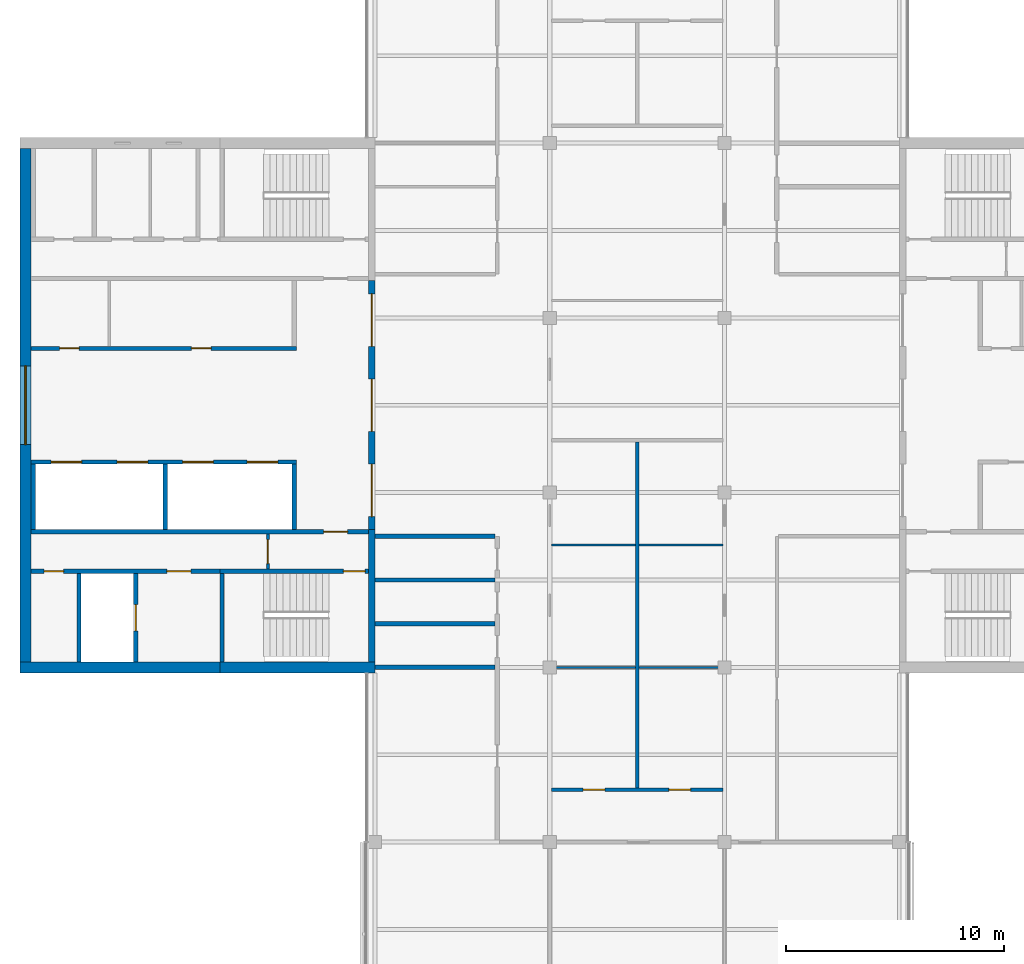
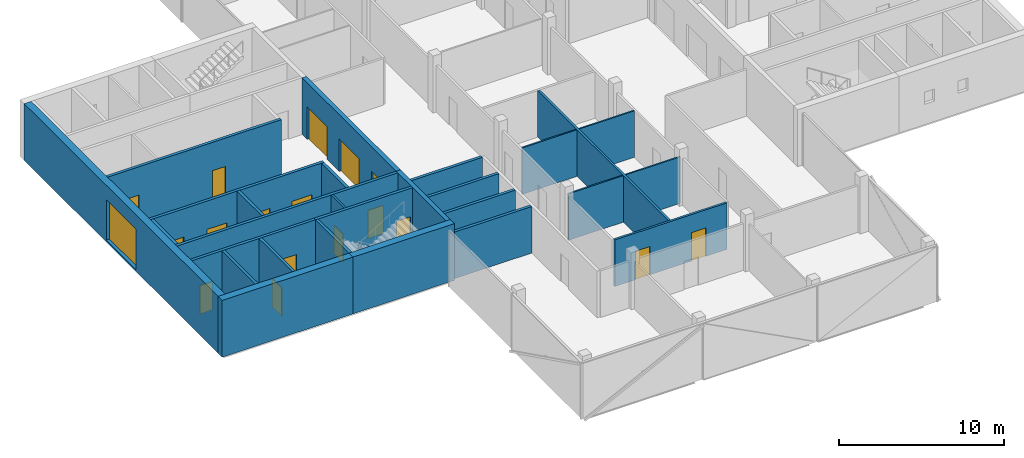
# One storey, part 9 of 16: 27 walls, 17 doors, 1 window, 18 openings.
"""IFC4 building model written with IfcOpenShell, lengths in metres."""

from ifc_helpers import new_model, si_unit, direction, frame, frame_2d, origin, place, context, subcontext, project, spatial, rectangle, extrude, material, layer, layer_set, constituent, constituent_set, type_object, element, fill, save


model = new_model("IFC4")

# Units and contexts
model_context = context("Model", 3, precision=1e-05, world=origin(), true_north=direction((0.0, 1.0)))
body_context = subcontext(model_context, "Body", "Model", "MODEL_VIEW")
ifc_project = project(units=[si_unit("LENGTHUNIT", "METRE"), si_unit("AREAUNIT", "SQUARE_METRE"), si_unit("VOLUMEUNIT", "CUBIC_METRE"), si_unit("PLANEANGLEUNIT", "RADIAN"), si_unit("MASSUNIT", "GRAM", prefix="KILO")], contexts=[model_context])

# Site, building, storey
site_placement = place(None, origin())
site = spatial("IfcSite", under=ifc_project, at=site_placement, CompositionType="ELEMENT")
building_placement = place(site_placement, origin())
building = spatial("IfcBuilding", under=site, at=building_placement, Name="Crosswind Convention Tower", CompositionType="ELEMENT")
storey_placement = place(building_placement, frame((0.0, 0.0, 340.699951171875)))
storey = spatial("IfcBuildingStorey", under=building, at=storey_placement, Name="L74", CompositionType="ELEMENT", Elevation=340.699951171875)

# Walls
ifc_material_1 = material(Name="Concrete blockwork", Category="masonry")
ifc_layer_1 = layer(ifc_material_1, 0.199951171875)
ifc_layer_set_1 = layer_set([ifc_layer_1], Name="COMPARTMENT WALL 200 BLOCKWORK")
wall_type_1 = type_object("IfcWallType", Name="COMPARTMENT WALL 200 BLOCKWORK", PredefinedType="SOLIDWALL", material=ifc_layer_set_1)
for number, where, z_axis, x_axis, name in (
    (1, (113.0, 88.0, 0.0), (0.0, 0.0, 1.0), (1.0, 0.0, 0.0), "Compartment wall WT42"),
    (2, (113.0, 90.0, 0.0), (0.0, 0.0, 1.0), (1.0, 0.0, 0.0), "Compartment wall WT42"),
    (3, (113.0, 92.0, 0.0), (0.0, 0.0, 1.0), (1.0, 0.0, 0.0), "Compartment wall WT42"),
    (4, (113.0, 94.0, 0.0), (0.0, 0.0, 1.0), (1.0, 0.0, 0.0), "Compartment wall WT42"),
):
    element("IfcWall", number, at=place(storey_placement, frame(where, z_axis=z_axis, x_axis=x_axis)), inside=storey, type_object=wall_type_1, Name=name, PredefinedType="SOLIDWALL", context=body_context, shape_type="SweptSolid", body=[
        extrude(rectangle(XDim=5.5, YDim=0.199951171875, at=frame_2d((2.75, 0.0))), origin(), (0.0, 0.0, 1.0), 3.44287109375),
    ])

# Wall, openings, doors
ifc_material_2 = material(Name="Concrete C50/60", Category="concrete")
ifc_layer_2 = layer(ifc_material_2, 0.300048828125)
ifc_layer_set_2 = layer_set([ifc_layer_2], Name="Concrete C50/60")
wall_type_2 = type_object("IfcWallType", Name="Concrete inner core wall 300", PredefinedType="SHEAR", material=ifc_layer_set_2)
wall_1_placement = place(storey_placement, frame((112.85009765625, 105.699951171875, 0.0), z_axis=(0.0, 0.0, 1.0), x_axis=(0.0, -1.0, 0.0)))
wall_1 = element("IfcWall", 5, at=wall_1_placement, inside=storey, type_object=wall_type_2, Name="Wall SCR W L74", PredefinedType="SHEAR", context=body_context, shape_type="SweptSolid", body=[
    extrude(rectangle(XDim=11.39990234375, YDim=0.300048828125, at=frame_2d((5.699951171875, 0.0))), origin(), (0.0, 0.0, 1.0), 4.199951171875),
])
opening_1_placement = place(wall_1_placement, frame((0.60009765625, 0.0, 0.0)))
opening_1 = element("IfcOpeningElement", 6, at=opening_1_placement, cuts=wall_1, Name="Opening D100", PredefinedType="OPENING", context=body_context, shape_type="SweptSolid", body=[
    extrude(rectangle(XDim=2.39990234375, YDim=2.39990234375, at=frame_2d((1.199951171875, 1.199951171875))), frame((0.0, 0.159912109375, 0.0), z_axis=(0.0, -1.0, 0.0), x_axis=(1.0, 0.0, 0.0)), (0.0, 0.0, 1.0), 0.320068359375),
])
opening_2_placement = place(wall_1_placement, frame((4.5, 0.0, 0.0)))
opening_2 = element("IfcOpeningElement", 7, at=opening_2_placement, cuts=wall_1, Name="Opening D100", PredefinedType="OPENING", context=body_context, shape_type="SweptSolid", body=[
    extrude(rectangle(XDim=2.39990234375, YDim=2.39990234375, at=frame_2d((1.199951171875, 1.199951171875))), frame((0.0, 0.159912109375, 0.0), z_axis=(0.0, -1.0, 0.0), x_axis=(1.0, 0.0, 0.0)), (0.0, 0.0, 1.0), 0.320068359375),
])
opening_3_placement = place(wall_1_placement, frame((8.39990234375, 0.0, 0.0)))
opening_3 = element("IfcOpeningElement", 8, at=opening_3_placement, cuts=wall_1, Name="Opening D100", PredefinedType="OPENING", context=body_context, shape_type="SweptSolid", body=[
    extrude(rectangle(XDim=2.39990234375, YDim=2.39990234375, at=frame_2d((1.199951171875, 1.199951171875))), frame((0.0, 0.159912109375, 0.0), z_axis=(0.0, -1.0, 0.0), x_axis=(1.0, 0.0, 0.0)), (0.0, 0.0, 1.0), 0.320068359375),
])
ifc_material_3 = material(Name="Steel fire door with glazed vision panels", Category="steel")
door_type_1 = type_object("IfcDoorType", Name="Fire-rated double door 2400x2400", OperationType="DOUBLE_DOOR_SINGLE_SWING", PredefinedType="DOOR", material=ifc_material_3)
door_1_placement = place(opening_1_placement, origin())
door_1 = element("IfcDoor", 9, at=door_1_placement, inside=storey, type_object=door_type_1, Name="Lobby door 1 L74", ObjectType="D100", OperationType="DOUBLE_DOOR_SINGLE_SWING", OverallHeight=2.39990234375, OverallWidth=2.39990234375, PredefinedType="DOOR", context=body_context, shape_type="SweptSolid", body=[
    extrude(rectangle(XDim=2.39990234375, YDim=2.39990234375, at=frame_2d((1.199951171875, 1.199951171875))), frame((0.0, 0.02490234375, 0.0), z_axis=(0.0, -1.0, 0.0), x_axis=(1.0, 0.0, 0.0)), (0.0, 0.0, 1.0), 0.050048828125),
])
fill(opening_1, door_1)
door_2_placement = place(opening_2_placement, origin())
door_2 = element("IfcDoor", 10, at=door_2_placement, inside=storey, type_object=door_type_1, Name="Lobby door 2 L74", ObjectType="D100", OperationType="DOUBLE_DOOR_SINGLE_SWING", OverallHeight=2.39990234375, OverallWidth=2.39990234375, PredefinedType="DOOR", context=body_context, shape_type="SweptSolid", body=[
    extrude(rectangle(XDim=2.39990234375, YDim=2.39990234375, at=frame_2d((1.199951171875, 1.199951171875))), frame((0.0, 0.02490234375, 0.0), z_axis=(0.0, -1.0, 0.0), x_axis=(1.0, 0.0, 0.0)), (0.0, 0.0, 1.0), 0.050048828125),
])
fill(opening_2, door_2)
door_3_placement = place(opening_3_placement, origin())
door_3 = element("IfcDoor", 11, at=door_3_placement, inside=storey, type_object=door_type_1, Name="Lobby door 3 L74", ObjectType="D100", OperationType="DOUBLE_DOOR_SINGLE_SWING", OverallHeight=2.39990234375, OverallWidth=2.39990234375, PredefinedType="DOOR", context=body_context, shape_type="SweptSolid", body=[
    extrude(rectangle(XDim=2.39990234375, YDim=2.39990234375, at=frame_2d((1.199951171875, 1.199951171875))), frame((0.0, 0.02490234375, 0.0), z_axis=(0.0, -1.0, 0.0), x_axis=(1.0, 0.0, 0.0)), (0.0, 0.0, 1.0), 0.050048828125),
])
fill(opening_3, door_3)

# Walls
wall_2_placement = place(storey_placement, frame((112.85009765625, 94.300048828125, 0.0), z_axis=(0.0, 0.0, 1.0), x_axis=(0.0, -1.0, 0.0)))
element("IfcWall", 12, at=wall_2_placement, inside=storey, type_object=wall_type_2, Name="Wall EP W L74", PredefinedType="SHEAR", context=body_context, shape_type="SweptSolid", body=[
    extrude(rectangle(XDim=6.050048828125, YDim=0.300048828125, at=frame_2d((3.02490234375, 0.0))), origin(), (0.0, 0.0, 1.0), 4.199951171875),
])
ifc_layer_3 = layer(ifc_material_2, 0.199951171875)
ifc_layer_set_3 = layer_set([ifc_layer_3], Name="Concrete C50/60")
wall_type_3 = type_object("IfcWallType", Name="Concrete shaft and stair wall 200", PredefinedType="SHEAR", material=ifc_layer_set_3)
for number, where, z_axis, x_axis, name in (
    (13, (109.300048828125, 97.300048828125, 0.0), (0.0, 0.0, 1.0), (0.0, -1.0, 0.0), "Wall RPEND W L74"),
    (14, (103.39990234375, 97.300048828125, 0.0), (0.0, 0.0, 1.0), (0.0, -1.0, 0.0), "Wall RPSEP W L74"),
    (15, (97.35009765625, 97.300048828125, 0.0), (0.0, 0.0, 1.0), (0.0, -1.0, 0.0), "Wall RPEAST W L74"),
):
    element("IfcWall", number, at=place(storey_placement, frame(where, z_axis=z_axis, x_axis=x_axis)), inside=storey, type_object=wall_type_3, Name=name, PredefinedType="SHEAR", context=body_context, shape_type="SweptSolid", body=[
        extrude(rectangle(XDim=3.0, YDim=0.199951171875, at=frame_2d((1.5, 0.0))), origin(), (0.0, 0.0, 1.0), 4.199951171875),
    ])

# Wall, openings, doors
wall_3_placement = place(storey_placement, frame((109.39990234375, 97.39990234375, 0.0), z_axis=(0.0, 0.0, 1.0), x_axis=(-1.0, 0.0, 0.0)))
wall_3 = element("IfcWall", 16, at=wall_3_placement, inside=storey, type_object=wall_type_3, Name="Wall RPFRONT W L74", PredefinedType="SHEAR", context=body_context, shape_type="SweptSolid", body=[
    extrude(rectangle(XDim=12.14990234375, YDim=0.199951171875, at=frame_2d((6.074951171875, 0.0))), origin(), (0.0, 0.0, 1.0), 4.199951171875),
])
opening_4_placement = place(wall_3_placement, frame((0.85009765625, 0.0, 0.0)))
opening_4 = element("IfcOpeningElement", 17, at=opening_4_placement, cuts=wall_3, Name="Opening LD2", PredefinedType="OPENING", context=body_context, shape_type="SweptSolid", body=[
    extrude(rectangle(XDim=1.39990234375, YDim=2.10009765625, at=frame_2d((0.699951171875, 1.050048828125))), frame((0.0, 0.10986328125, 0.0), z_axis=(0.0, -1.0, 0.0), x_axis=(1.0, 0.0, 0.0)), (0.0, 0.0, 1.0), 0.219970703125),
])
opening_5_placement = place(wall_3_placement, frame((3.800048828125, 0.0, 0.0)))
opening_5 = element("IfcOpeningElement", 18, at=opening_5_placement, cuts=wall_3, Name="Opening LD2", PredefinedType="OPENING", context=body_context, shape_type="SweptSolid", body=[
    extrude(rectangle(XDim=1.39990234375, YDim=2.10009765625, at=frame_2d((0.699951171875, 1.050048828125))), frame((0.0, 0.10986328125, 0.0), z_axis=(0.0, -1.0, 0.0), x_axis=(1.0, 0.0, 0.0)), (0.0, 0.0, 1.0), 0.219970703125),
])
opening_6_placement = place(wall_3_placement, frame((6.800048828125, 0.0, 0.0)))
opening_6 = element("IfcOpeningElement", 19, at=opening_6_placement, cuts=wall_3, Name="Opening LD2", PredefinedType="OPENING", context=body_context, shape_type="SweptSolid", body=[
    extrude(rectangle(XDim=1.39990234375, YDim=2.10009765625, at=frame_2d((0.699951171875, 1.050048828125))), frame((0.0, 0.10986328125, 0.0), z_axis=(0.0, -1.0, 0.0), x_axis=(1.0, 0.0, 0.0)), (0.0, 0.0, 1.0), 0.219970703125),
])
opening_7_placement = place(wall_3_placement, frame((9.824951171875, 0.0, 0.0)))
opening_7 = element("IfcOpeningElement", 20, at=opening_7_placement, cuts=wall_3, Name="Opening LD2", PredefinedType="OPENING", context=body_context, shape_type="SweptSolid", body=[
    extrude(rectangle(XDim=1.39990234375, YDim=2.10009765625, at=frame_2d((0.699951171875, 1.050048828125))), frame((0.0, 0.10986328125, 0.0), z_axis=(0.0, -1.0, 0.0), x_axis=(1.0, 0.0, 0.0)), (0.0, 0.0, 1.0), 0.219970703125),
])
ifc_material_4 = material(Name="Stainless steel", Category="steel")
door_type_2 = type_object("IfcDoorType", Name="Lift landing door 1400x2100", OperationType="DOUBLE_DOOR_SLIDING", PredefinedType="DOOR", material=ifc_material_4)
door_4_placement = place(opening_4_placement, origin())
door_4 = element("IfcDoor", 21, at=door_4_placement, inside=storey, type_object=door_type_2, Name="Landing door HR1 L74", ObjectType="LD2", OperationType="DOUBLE_DOOR_SLIDING", OverallHeight=2.10009765625, OverallWidth=1.39990234375, PredefinedType="DOOR", context=body_context, shape_type="SweptSolid", body=[
    extrude(rectangle(XDim=1.39990234375, YDim=2.10009765625, at=frame_2d((0.699951171875, 1.050048828125))), frame((0.0, 0.02490234375, 0.0), z_axis=(0.0, -1.0, 0.0), x_axis=(1.0, 0.0, 0.0)), (0.0, 0.0, 1.0), 0.050048828125),
])
fill(opening_4, door_4)
door_5_placement = place(opening_5_placement, origin())
door_5 = element("IfcDoor", 22, at=door_5_placement, inside=storey, type_object=door_type_2, Name="Landing door HR2 L74", ObjectType="LD2", OperationType="DOUBLE_DOOR_SLIDING", OverallHeight=2.10009765625, OverallWidth=1.39990234375, PredefinedType="DOOR", context=body_context, shape_type="SweptSolid", body=[
    extrude(rectangle(XDim=1.39990234375, YDim=2.10009765625, at=frame_2d((0.699951171875, 1.050048828125))), frame((0.0, 0.02490234375, 0.0), z_axis=(0.0, -1.0, 0.0), x_axis=(1.0, 0.0, 0.0)), (0.0, 0.0, 1.0), 0.050048828125),
])
fill(opening_5, door_5)
door_6_placement = place(opening_6_placement, origin())
door_6 = element("IfcDoor", 23, at=door_6_placement, inside=storey, type_object=door_type_2, Name="Landing door HR3 L74", ObjectType="LD2", OperationType="DOUBLE_DOOR_SLIDING", OverallHeight=2.10009765625, OverallWidth=1.39990234375, PredefinedType="DOOR", context=body_context, shape_type="SweptSolid", body=[
    extrude(rectangle(XDim=1.39990234375, YDim=2.10009765625, at=frame_2d((0.699951171875, 1.050048828125))), frame((0.0, 0.02490234375, 0.0), z_axis=(0.0, -1.0, 0.0), x_axis=(1.0, 0.0, 0.0)), (0.0, 0.0, 1.0), 0.050048828125),
])
fill(opening_6, door_6)
door_7_placement = place(opening_7_placement, origin())
door_7 = element("IfcDoor", 24, at=door_7_placement, inside=storey, type_object=door_type_2, Name="Landing door HR4 L74", ObjectType="LD2", OperationType="DOUBLE_DOOR_SLIDING", OverallHeight=2.10009765625, OverallWidth=1.39990234375, PredefinedType="DOOR", context=body_context, shape_type="SweptSolid", body=[
    extrude(rectangle(XDim=1.39990234375, YDim=2.10009765625, at=frame_2d((0.699951171875, 1.050048828125))), frame((0.0, 0.02490234375, 0.0), z_axis=(0.0, -1.0, 0.0), x_axis=(1.0, 0.0, 0.0)), (0.0, 0.0, 1.0), 0.050048828125),
])
fill(opening_7, door_7)

wall_4_placement = place(storey_placement, frame((109.39990234375, 102.60009765625, 0.0), z_axis=(0.0, 0.0, 1.0), x_axis=(-1.0, 0.0, 0.0)))
wall_4 = element("IfcWall", 25, at=wall_4_placement, inside=storey, type_object=wall_type_3, Name="Wall RMFRONT W L74", PredefinedType="SHEAR", context=body_context, shape_type="SweptSolid", body=[
    extrude(rectangle(XDim=12.14990234375, YDim=0.199951171875, at=frame_2d((6.074951171875, 0.0))), origin(), (0.0, 0.0, 1.0), 4.199951171875),
])
opening_8_placement = place(wall_4_placement, frame((3.9013671875, 0.0, 0.0)))
opening_8 = element("IfcOpeningElement", 26, at=opening_8_placement, cuts=wall_4, Name="Opening D106", PredefinedType="OPENING", context=body_context, shape_type="SweptSolid", body=[
    extrude(rectangle(XDim=0.89990234375, YDim=2.10009765625, at=frame_2d((0.449951171875, 1.050048828125))), frame((0.0, 0.10986328125, 0.0), z_axis=(0.0, -1.0, 0.0), x_axis=(1.0, 0.0, 0.0)), (0.0, 0.0, 1.0), 0.219970703125),
])
opening_9_placement = place(wall_4_placement, frame((9.938720703125, 0.0, 0.0)))
opening_9 = element("IfcOpeningElement", 27, at=opening_9_placement, cuts=wall_4, Name="Opening D106", PredefinedType="OPENING", context=body_context, shape_type="SweptSolid", body=[
    extrude(rectangle(XDim=0.89990234375, YDim=2.10009765625, at=frame_2d((0.449951171875, 1.050048828125))), frame((0.0, 0.10986328125, 0.0), z_axis=(0.0, -1.0, 0.0), x_axis=(1.0, 0.0, 0.0)), (0.0, 0.0, 1.0), 0.219970703125),
])
ifc_material_5 = material(Name="Timber door", Category="wood")
door_type_3 = type_object("IfcDoorType", Name="Single leaf door 900x2100", OperationType="NOTDEFINED", PredefinedType="DOOR", material=ifc_material_5)
door_8_placement = place(opening_8_placement, frame((0.89990234375, 0.0, 0.0), z_axis=(0.0, 0.0, 1.0), x_axis=(-1.0, 0.0, 0.0)))
door_8 = element("IfcDoor", 28, at=door_8_placement, inside=storey, type_object=door_type_3, Name="Door to pantry L74", ObjectType="D106", OperationType="SINGLE_SWING_LEFT", OverallHeight=2.10009765625, OverallWidth=0.89990234375, PredefinedType="DOOR", context=body_context, shape_type="SweptSolid", body=[
    extrude(rectangle(XDim=0.89990234375, YDim=2.10009765625, at=frame_2d((0.449951171875, 1.050048828125))), frame((0.0, 0.02490234375, 0.0), z_axis=(0.0, -1.0, 0.0), x_axis=(1.0, 0.0, 0.0)), (0.0, 0.0, 1.0), 0.050048828125),
])
fill(opening_8, door_8)
door_9_placement = place(opening_9_placement, frame((0.89990234375, 0.0, 0.0), z_axis=(0.0, 0.0, 1.0), x_axis=(-1.0, 0.0, 0.0)))
door_9 = element("IfcDoor", 29, at=door_9_placement, inside=storey, type_object=door_type_3, Name="Door to telecoms room L74", ObjectType="D106", OperationType="SINGLE_SWING_LEFT", OverallHeight=2.10009765625, OverallWidth=0.89990234375, PredefinedType="DOOR", context=body_context, shape_type="SweptSolid", body=[
    extrude(rectangle(XDim=0.89990234375, YDim=2.10009765625, at=frame_2d((0.449951171875, 1.050048828125))), frame((0.0, 0.02490234375, 0.0), z_axis=(0.0, -1.0, 0.0), x_axis=(1.0, 0.0, 0.0)), (0.0, 0.0, 1.0), 0.050048828125),
])
fill(opening_9, door_9)

# Wall, opening, door
wall_5_placement = place(storey_placement, frame((112.699951171875, 94.199951171875, 0.0), z_axis=(0.0, 0.0, 1.0), x_axis=(-1.0, 0.0, 0.0)))
wall_5 = element("IfcWall", 30, at=wall_5_placement, inside=storey, type_object=wall_type_3, Name="Wall HP W L74", PredefinedType="SHEAR", context=body_context, shape_type="SweptSolid", body=[
    extrude(rectangle(XDim=15.449951171875, YDim=0.199951171875, at=frame_2d((7.72509765625, 0.0))), origin(), (0.0, 0.0, 1.0), 4.199951171875),
])
opening_10_placement = place(wall_5_placement, frame((0.949951171875, 0.0, 0.0)))
opening_10 = element("IfcOpeningElement", 31, at=opening_10_placement, cuts=wall_5, Name="Opening D104", PredefinedType="OPENING", context=body_context, shape_type="SweptSolid", body=[
    extrude(rectangle(XDim=1.10009765625, YDim=2.10009765625, at=frame_2d((0.550048828125, 1.050048828125))), frame((0.0, 0.10986328125, 0.0), z_axis=(0.0, -1.0, 0.0), x_axis=(1.0, 0.0, 0.0)), (0.0, 0.0, 1.0), 0.219970703125),
])
ifc_material_6 = material(Name="Steel fire door", Category="steel")
door_type_4 = type_object("IfcDoorType", Name="Fire-rated single door 1100x2100", OperationType="NOTDEFINED", PredefinedType="DOOR", material=ifc_material_6)
door_10_placement = place(opening_10_placement, origin())
door_10 = element("IfcDoor", 32, at=door_10_placement, inside=storey, type_object=door_type_4, Name="Corridor door L74", ObjectType="D104", OperationType="SINGLE_SWING_LEFT", OverallHeight=2.10009765625, OverallWidth=1.10009765625, PredefinedType="DOOR", context=body_context, shape_type="SweptSolid", body=[
    extrude(rectangle(XDim=1.10009765625, YDim=2.10009765625, at=frame_2d((0.550048828125, 1.050048828125))), frame((0.0, 0.02490234375, 0.0), z_axis=(0.0, -1.0, 0.0), x_axis=(1.0, 0.0, 0.0)), (0.0, 0.0, 1.0), 0.050048828125),
])
fill(opening_10, door_10)

# Wall
wall_6_placement = place(storey_placement, frame((106.0, 92.300048828125, 0.0), z_axis=(0.0, 0.0, 1.0), x_axis=(0.0, -1.0, 0.0)))
element("IfcWall", 33, at=wall_6_placement, inside=storey, type_object=wall_type_3, Name="Wall PSE W L74", PredefinedType="SHEAR", context=body_context, shape_type="SweptSolid", body=[
    extrude(rectangle(XDim=4.050048828125, YDim=0.199951171875, at=frame_2d((2.02490234375, 0.0))), origin(), (0.0, 0.0, 1.0), 4.199951171875),
])

# Wall, opening, door
wall_7_placement = place(storey_placement, frame((102.050048828125, 92.300048828125, 0.0), z_axis=(0.0, 0.0, 1.0), x_axis=(0.0, -1.0, 0.0)))
wall_7 = element("IfcWall", 34, at=wall_7_placement, inside=storey, type_object=wall_type_3, Name="Wall PFLW W L74", PredefinedType="SHEAR", context=body_context, shape_type="SweptSolid", body=[
    extrude(rectangle(XDim=4.050048828125, YDim=0.199951171875, at=frame_2d((2.02490234375, 0.0))), origin(), (0.0, 0.0, 1.0), 4.199951171875),
])
opening_11_placement = place(wall_7_placement, frame((1.425048828125, 0.0, 0.0)))
opening_11 = element("IfcOpeningElement", 35, at=opening_11_placement, cuts=wall_7, Name="Opening LD1", PredefinedType="OPENING", context=body_context, shape_type="SweptSolid", body=[
    extrude(rectangle(XDim=1.199951171875, YDim=2.10009765625, at=frame_2d((0.60009765625, 1.050048828125))), frame((0.0, 0.10986328125, 0.0), z_axis=(0.0, -1.0, 0.0), x_axis=(1.0, 0.0, 0.0)), (0.0, 0.0, 1.0), 0.219970703125),
])
door_type_5 = type_object("IfcDoorType", Name="Lift landing door 1200x2100", OperationType="DOUBLE_DOOR_SLIDING", PredefinedType="DOOR", material=ifc_material_4)
door_11_placement = place(opening_11_placement, origin())
door_11 = element("IfcDoor", 36, at=door_11_placement, inside=storey, type_object=door_type_5, Name="Landing door FF2 L74", ObjectType="LD1", OperationType="DOUBLE_DOOR_SLIDING", OverallHeight=2.10009765625, OverallWidth=1.199951171875, PredefinedType="DOOR", context=body_context, shape_type="SweptSolid", body=[
    extrude(rectangle(XDim=1.199951171875, YDim=2.10009765625, at=frame_2d((0.60009765625, 1.050048828125))), frame((0.0, 0.02490234375, 0.0), z_axis=(0.0, -1.0, 0.0), x_axis=(1.0, 0.0, 0.0)), (0.0, 0.0, 1.0), 0.050048828125),
])
fill(opening_11, door_11)

# Wall
wall_8_placement = place(storey_placement, frame((99.449951171875, 92.300048828125, 0.0), z_axis=(0.0, 0.0, 1.0), x_axis=(0.0, -1.0, 0.0)))
element("IfcWall", 37, at=wall_8_placement, inside=storey, type_object=wall_type_3, Name="Wall PFSE W L74", PredefinedType="SHEAR", context=body_context, shape_type="SweptSolid", body=[
    extrude(rectangle(XDim=4.050048828125, YDim=0.199951171875, at=frame_2d((2.02490234375, 0.0))), origin(), (0.0, 0.0, 1.0), 4.199951171875),
])

# Wall, opening, door
wall_9_placement = place(storey_placement, frame((112.699951171875, 92.39990234375, 0.0), z_axis=(0.0, 0.0, 1.0), x_axis=(-1.0, 0.0, 0.0)))
wall_9 = element("IfcWall", 38, at=wall_9_placement, inside=storey, type_object=wall_type_3, Name="Wall PCW W L74", PredefinedType="SHEAR", context=body_context, shape_type="SweptSolid", body=[
    extrude(rectangle(XDim=6.800048828125, YDim=0.199951171875, at=frame_2d((3.39990234375, 0.0))), origin(), (0.0, 0.0, 1.0), 4.199951171875),
])
opening_12_placement = place(wall_9_placement, frame((0.14990234375, 0.0, 0.0)))
opening_12 = element("IfcOpeningElement", 39, at=opening_12_placement, cuts=wall_9, Name="Opening D103", PredefinedType="OPENING", context=body_context, shape_type="SweptSolid", body=[
    extrude(rectangle(XDim=1.0, YDim=2.10009765625, at=frame_2d((0.5, 1.050048828125))), frame((0.0, 0.10986328125, 0.0), z_axis=(0.0, -1.0, 0.0), x_axis=(1.0, 0.0, 0.0)), (0.0, 0.0, 1.0), 0.219970703125),
])
door_type_6 = type_object("IfcDoorType", Name="Fire-rated single door 1000x2100", OperationType="NOTDEFINED", PredefinedType="DOOR", material=ifc_material_6)
door_12_placement = place(opening_12_placement, origin())
door_12 = element("IfcDoor", 40, at=door_12_placement, inside=storey, type_object=door_type_6, Name="Stair ST3 door L74", ObjectType="D103", OperationType="SINGLE_SWING_LEFT", OverallHeight=2.10009765625, OverallWidth=1.0, PredefinedType="DOOR", context=body_context, shape_type="SweptSolid", body=[
    extrude(rectangle(XDim=1.0, YDim=2.10009765625, at=frame_2d((0.5, 1.050048828125))), frame((0.0, 0.02490234375, 0.0), z_axis=(0.0, -1.0, 0.0), x_axis=(1.0, 0.0, 0.0)), (0.0, 0.0, 1.0), 0.050048828125),
])
fill(opening_12, door_12)

# Wall, openings, doors
wall_10_placement = place(storey_placement, frame((105.89990234375, 92.39990234375, 0.0), z_axis=(0.0, 0.0, 1.0), x_axis=(-1.0, 0.0, 0.0)))
wall_10 = element("IfcWall", 41, at=wall_10_placement, inside=storey, type_object=wall_type_3, Name="Wall PCX W L74", PredefinedType="SHEAR", context=body_context, shape_type="SweptSolid", body=[
    extrude(rectangle(XDim=8.64990234375, YDim=0.199951171875, at=frame_2d((4.324951171875, 0.0))), origin(), (0.0, 0.0, 1.0), 4.199951171875),
])
opening_13_placement = place(wall_10_placement, frame((1.324951171875, 0.0, 0.0)))
opening_13 = element("IfcOpeningElement", 42, at=opening_13_placement, cuts=wall_10, Name="Opening D104", PredefinedType="OPENING", context=body_context, shape_type="SweptSolid", body=[
    extrude(rectangle(XDim=1.10009765625, YDim=2.10009765625, at=frame_2d((0.550048828125, 1.050048828125))), frame((0.0, 0.10986328125, 0.0), z_axis=(0.0, -1.0, 0.0), x_axis=(1.0, 0.0, 0.0)), (0.0, 0.0, 1.0), 0.219970703125),
])
opening_14_placement = place(wall_10_placement, frame((7.14990234375, 0.0, 0.0)))
opening_14 = element("IfcOpeningElement", 43, at=opening_14_placement, cuts=wall_10, Name="Opening D106", PredefinedType="OPENING", context=body_context, shape_type="SweptSolid", body=[
    extrude(rectangle(XDim=0.89990234375, YDim=2.10009765625, at=frame_2d((0.449951171875, 1.050048828125))), frame((0.0, 0.10986328125, 0.0), z_axis=(0.0, -1.0, 0.0), x_axis=(1.0, 0.0, 0.0)), (0.0, 0.0, 1.0), 0.219970703125),
])
door_13_placement = place(opening_13_placement, origin())
door_13 = element("IfcDoor", 44, at=door_13_placement, inside=storey, type_object=door_type_4, Name="Fire-fighting lobby FF2 door L74", ObjectType="D104", OperationType="SINGLE_SWING_RIGHT", OverallHeight=2.10009765625, OverallWidth=1.10009765625, PredefinedType="DOOR", context=body_context, shape_type="SweptSolid", body=[
    extrude(rectangle(XDim=1.10009765625, YDim=2.10009765625, at=frame_2d((0.550048828125, 1.050048828125))), frame((0.0, 0.02490234375, 0.0), z_axis=(0.0, -1.0, 0.0), x_axis=(1.0, 0.0, 0.0)), (0.0, 0.0, 1.0), 0.050048828125),
])
fill(opening_13, door_13)
door_14_placement = place(opening_14_placement, origin())
door_14 = element("IfcDoor", 45, at=door_14_placement, inside=storey, type_object=door_type_3, Name="Door to cleaners' store L74", ObjectType="D106", OperationType="SINGLE_SWING_RIGHT", OverallHeight=2.10009765625, OverallWidth=0.89990234375, PredefinedType="DOOR", context=body_context, shape_type="SweptSolid", body=[
    extrude(rectangle(XDim=0.89990234375, YDim=2.10009765625, at=frame_2d((0.449951171875, 1.050048828125))), frame((0.0, 0.02490234375, 0.0), z_axis=(0.0, -1.0, 0.0), x_axis=(1.0, 0.0, 0.0)), (0.0, 0.0, 1.0), 0.050048828125),
])
fill(opening_14, door_14)

# Wall, opening, door
ifc_material_7 = material(Name="Gypsum plasterboard partition", Category="gypsum")
ifc_layer_4 = layer(ifc_material_7, 0.125)
ifc_layer_set_4 = layer_set([ifc_layer_4], Name="Drywall partition wall 125")
wall_type_4 = type_object("IfcWallType", Name="Drywall partition wall 125", PredefinedType="PARTITIONING", material=ifc_layer_set_4)
wall_11_placement = place(storey_placement, frame((108.10009765625, 94.10009765625, 0.0), z_axis=(0.0, 0.0, 1.0), x_axis=(0.0, -1.0, 0.0)))
wall_11 = element("IfcWall", 46, at=wall_11_placement, inside=storey, type_object=wall_type_4, Name="Wall PXC1 W L74", PredefinedType="PARTITIONING", context=body_context, shape_type="SweptSolid", body=[
    extrude(rectangle(XDim=1.60009765625, YDim=0.125, at=frame_2d((0.800048828125, 0.0))), origin(), (0.0, 0.0, 1.0), 4.199951171875),
])
opening_15_placement = place(wall_11_placement, frame((0.25, 0.0, 0.0)))
opening_15 = element("IfcOpeningElement", 47, at=opening_15_placement, cuts=wall_11, Name="Opening D104", PredefinedType="OPENING", context=body_context, shape_type="SweptSolid", body=[
    extrude(rectangle(XDim=1.10009765625, YDim=2.10009765625, at=frame_2d((0.550048828125, 1.050048828125))), frame((0.0, 0.072509765625, 0.0), z_axis=(0.0, -1.0, 0.0), x_axis=(1.0, 0.0, 0.0)), (0.0, 0.0, 1.0), 0.14501953125),
])
door_15_placement = place(opening_15_placement, origin())
door_15 = element("IfcDoor", 48, at=door_15_placement, inside=storey, type_object=door_type_4, Name="Corridor smoke door L74", ObjectType="D104", OperationType="SINGLE_SWING_RIGHT", OverallHeight=2.10009765625, OverallWidth=1.10009765625, PredefinedType="DOOR", context=body_context, shape_type="SweptSolid", body=[
    extrude(rectangle(XDim=1.10009765625, YDim=2.10009765625, at=frame_2d((0.550048828125, 1.050048828125))), frame((0.0, 0.02490234375, 0.0), z_axis=(0.0, -1.0, 0.0), x_axis=(1.0, 0.0, 0.0)), (0.0, 0.0, 1.0), 0.050048828125),
])
fill(opening_15, door_15)

# Walls
ifc_material_8 = material(Name="Plasterboard partition", Category="gypsum")
ifc_layer_5 = layer(ifc_material_8, 0.10009765625)
ifc_layer_set_5 = layer_set([ifc_layer_5], Name="PARTITION 100 METAL STUD")
wall_type_5 = type_object("IfcWallType", Name="PARTITION 100 METAL STUD", PredefinedType="PARTITIONING", material=ifc_layer_set_5)
for number, where, z_axis, x_axis, name in (
    (49, (121.074951171875, 88.0, 0.0), (0.0, 0.0, 1.0), (1.0, 0.0, 0.0), "Partition wall WT40"),
    (50, (125.074951171875, 88.0, 0.0), (0.0, 0.0, 1.0), (1.0, 0.0, 0.0), "Partition wall WT40"),
    (51, (121.074951171875, 93.60009765625, 0.0), (0.0, 0.0, 1.0), (1.0, 0.0, 0.0), "Partition wall WT40"),
    (52, (125.074951171875, 93.60009765625, 0.0), (0.0, 0.0, 1.0), (1.0, 0.0, 0.0), "Partition wall WT40"),
):
    element("IfcWall", number, at=place(storey_placement, frame(where, z_axis=z_axis, x_axis=x_axis)), inside=storey, type_object=wall_type_5, Name=name, PredefinedType="PARTITIONING", context=body_context, shape_type="SweptSolid", body=[
        extrude(rectangle(XDim=3.85009765625, YDim=0.10009765625, at=frame_2d((1.925048828125, 0.0))), origin(), (0.0, 0.0, 1.0), 3.44287109375),
    ])
ifc_material_9 = material(Name="Fire-board partition with mineral wool", Category="gypsum")
ifc_layer_6 = layer(ifc_material_9, 0.14990234375)
ifc_layer_set_6 = layer_set([ifc_layer_6], Name="TENANCY WALL 150 TWO-HOUR BOARD")
wall_type_6 = type_object("IfcWallType", Name="TENANCY WALL 150 TWO-HOUR BOARD", PredefinedType="PARTITIONING", material=ifc_layer_set_6)
wall_12_placement = place(storey_placement, frame((125.0, 82.47509765625, 0.0), z_axis=(0.0, 0.0, 1.0), x_axis=(0.0, 1.0, 0.0)))
element("IfcWall", 53, at=wall_12_placement, inside=storey, type_object=wall_type_6, Name="Tenancy wall WT41", PredefinedType="PARTITIONING", context=body_context, shape_type="SweptSolid", body=[
    extrude(rectangle(XDim=15.849853515625, YDim=0.14990234375, at=frame_2d((7.9248046875, 0.0))), origin(), (0.0, 0.0, 1.0), 3.44287109375),
])

# Wall, openings, doors
wall_13_placement = place(storey_placement, frame((121.074951171875, 82.39990234375, 0.0), z_axis=(0.0, 0.0, 1.0), x_axis=(1.0, 0.0, 0.0)))
wall_13 = element("IfcWall", 54, at=wall_13_placement, inside=storey, type_object=wall_type_6, Name="Tenancy wall WT41", PredefinedType="PARTITIONING", context=body_context, shape_type="SweptSolid", body=[
    extrude(rectangle(XDim=7.85009765625, YDim=0.14990234375, at=frame_2d((3.925048828125, 0.0))), origin(), (0.0, 0.0, 1.0), 3.44287109375),
])
opening_16_placement = place(wall_13_placement, frame((1.449951171875, 0.0, 0.0)))
opening_16 = element("IfcOpeningElement", 55, at=opening_16_placement, cuts=wall_13, Name="Opening L74-65", PredefinedType="OPENING", context=body_context, shape_type="SweptSolid", body=[
    extrude(rectangle(XDim=1.0, YDim=2.10009765625, at=frame_2d((0.5, 1.050048828125))), frame((0.0, 0.0849609375, 0.0), z_axis=(0.0, -1.0, 0.0), x_axis=(1.0, 0.0, 0.0)), (0.0, 0.0, 1.0), 0.169921875),
])
opening_17_placement = place(wall_13_placement, frame((5.375, 0.0, 0.0)))
opening_17 = element("IfcOpeningElement", 56, at=opening_17_placement, cuts=wall_13, Name="Opening L74-66", PredefinedType="OPENING", context=body_context, shape_type="SweptSolid", body=[
    extrude(rectangle(XDim=1.0, YDim=2.10009765625, at=frame_2d((0.5, 1.050048828125))), frame((0.0, 0.0849609375, 0.0), z_axis=(0.0, -1.0, 0.0), x_axis=(1.0, 0.0, 0.0)), (0.0, 0.0, 1.0), 0.169921875),
])
ifc_material_10 = material(Name="Timber fire door", Category="wood")
door_type_7 = type_object("IfcDoorType", Name="TENANCY ENTRANCE DOOR 1000X2100 FD30S", OperationType="NOTDEFINED", PredefinedType="DOOR", material=ifc_material_10)
door_16_placement = place(opening_16_placement, origin())
door_16 = element("IfcDoor", 57, at=door_16_placement, inside=storey, type_object=door_type_7, Name="Door L74-65", ObjectType="D41", OperationType="SINGLE_SWING_RIGHT", OverallHeight=2.10009765625, OverallWidth=1.0, PredefinedType="DOOR", context=body_context, shape_type="SweptSolid", body=[
    extrude(rectangle(XDim=1.0, YDim=2.10009765625, at=frame_2d((0.5, 1.050048828125))), frame((0.0, 0.02490234375, 0.0), z_axis=(0.0, -1.0, 0.0), x_axis=(1.0, 0.0, 0.0)), (0.0, 0.0, 1.0), 0.050048828125),
])
fill(opening_16, door_16)
door_17_placement = place(opening_17_placement, origin())
door_17 = element("IfcDoor", 58, at=door_17_placement, inside=storey, type_object=door_type_7, Name="Door L74-66", ObjectType="D41", OperationType="SINGLE_SWING_LEFT", OverallHeight=2.10009765625, OverallWidth=1.0, PredefinedType="DOOR", context=body_context, shape_type="SweptSolid", body=[
    extrude(rectangle(XDim=1.0, YDim=2.10009765625, at=frame_2d((0.5, 1.050048828125))), frame((0.0, 0.02490234375, 0.0), z_axis=(0.0, -1.0, 0.0), x_axis=(1.0, 0.0, 0.0)), (0.0, 0.0, 1.0), 0.050048828125),
])
fill(opening_17, door_17)

# Walls
ifc_material_11 = material(Name="Concrete C60/75", Category="concrete")
ifc_constituent_1 = constituent(ifc_material_11, Name="Structure")
ifc_material_12 = material(Name="Terracotta rainscreen", Category="ceramic")
ifc_constituent_2 = constituent(ifc_material_12, Name="Facing")
ifc_constituent_set = constituent_set(constituents=[ifc_constituent_1, ifc_constituent_2], Name="Concrete C60/75, Terracotta rainscreen")
wall_type_7 = type_object("IfcWallType", Name="Terracotta rainscreen on concrete core wall 500", PredefinedType="SHEAR", material=ifc_constituent_set)
wall_14_placement = place(storey_placement, frame((113.0, 88.0, 0.0), z_axis=(0.0, 0.0, 1.0), x_axis=(-1.0, 0.0, 0.0)))
element("IfcWall", 59, at=wall_14_placement, inside=storey, type_object=wall_type_7, Name="Wall N1 W L74", PredefinedType="SHEAR", context=body_context, shape_type="SweptSolid", body=[
    extrude(rectangle(XDim=7.10009765625, YDim=0.5, at=frame_2d((3.550048828125, 0.0))), origin(), (0.0, 0.0, 1.0), 4.199951171875),
])
wall_15_placement = place(storey_placement, frame((105.89990234375, 88.0, 0.0), z_axis=(0.0, 0.0, 1.0), x_axis=(-1.0, 0.0, 0.0)))
element("IfcWall", 60, at=wall_15_placement, inside=storey, type_object=wall_type_7, Name="Wall N2 W L74", PredefinedType="SHEAR", context=body_context, shape_type="SweptSolid", body=[
    extrude(rectangle(XDim=9.14990234375, YDim=0.5, at=frame_2d((4.574951171875, 0.0))), origin(), (0.0, 0.0, 1.0), 4.199951171875),
])

# Wall, opening, window
wall_16_placement = place(storey_placement, frame((97.0, 111.75, 0.0), z_axis=(0.0, 0.0, 1.0), x_axis=(0.0, -1.0, 0.0)))
wall_16 = element("IfcWall", 61, at=wall_16_placement, inside=storey, type_object=wall_type_7, Name="Wall O W L74", PredefinedType="SHEAR", context=body_context, shape_type="SweptSolid", body=[
    extrude(rectangle(XDim=23.5, YDim=0.5, at=frame_2d((11.75, 0.0))), origin(), (0.0, 0.0, 1.0), 4.199951171875),
])
opening_18_placement = place(wall_16_placement, frame((9.949951171875, 0.0, 0.14990234375)))
opening_18 = element("IfcOpeningElement", 62, at=opening_18_placement, cuts=wall_16, Name="Opening W1", PredefinedType="OPENING", context=body_context, shape_type="SweptSolid", body=[
    extrude(rectangle(XDim=3.60009765625, YDim=3.0, at=frame_2d((1.800048828125, 1.5))), frame((0.0, 0.260009765625, 0.0), z_axis=(0.0, -1.0, 0.0), x_axis=(1.0, 0.0, 0.0)), (0.0, 0.0, 1.0), 0.52001953125),
])
ifc_material_13 = material(Name="Clear laminated glass in aluminium frame", Category="aluminium")
window_type = type_object("IfcWindowType", Name="Lobby end window 3600x3000", PartitioningType="SINGLE_PANEL", PredefinedType="WINDOW", material=ifc_material_13)
window_placement = place(opening_18_placement, origin())
window = element("IfcWindow", 63, at=window_placement, inside=storey, type_object=window_type, Name="Lobby end window L74", ObjectType="W1", OverallHeight=3.0, OverallWidth=3.60009765625, PartitioningType="SINGLE_PANEL", PredefinedType="WINDOW", context=body_context, shape_type="SweptSolid", body=[
    extrude(rectangle(XDim=3.60009765625, YDim=3.0, at=frame_2d((1.800048828125, 1.5))), frame((0.0, 0.030029296875, 0.0), z_axis=(0.0, -1.0, 0.0), x_axis=(1.0, 0.0, 0.0)), (0.0, 0.0, 1.0), 0.06005859375),
])
fill(opening_18, window)

save(model, "model.ifc")
